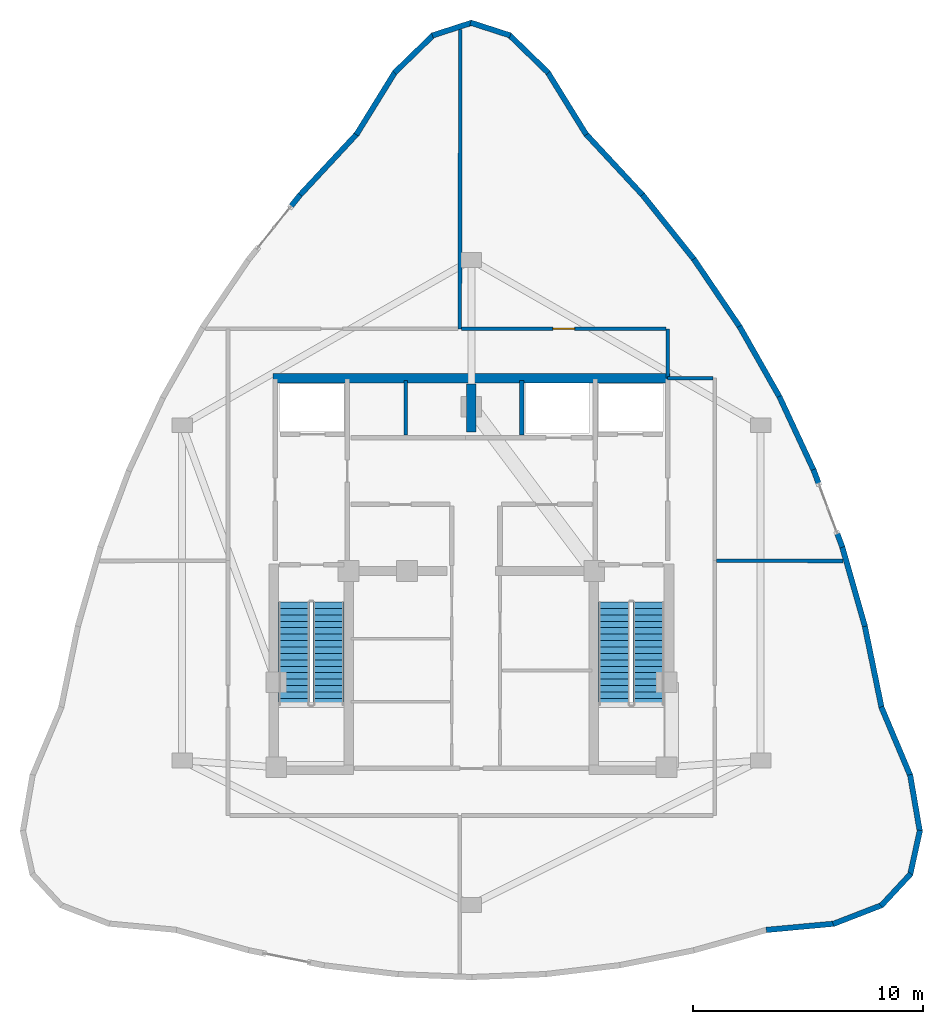
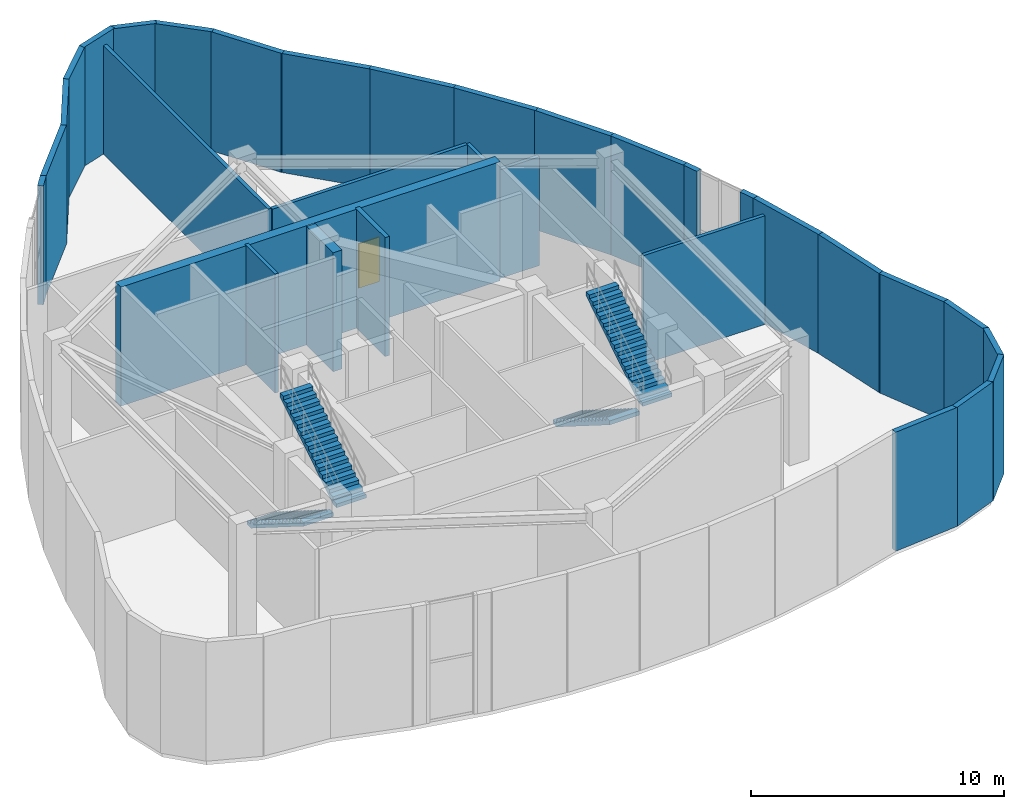
# One storey, part 10 of 11: 32 walls, 4 stair flights, 1 door, 1 opening, 2 elements without a shape of their own.
"""IFC4 building model written with IfcOpenShell, lengths in metres."""

from ifc_helpers import new_model, si_unit, direction, frame, frame_2d, origin, place, context, subcontext, project, spatial, polyline, rectangle, outline, extrude, material, layer, layer_set, type_object, element, fill, aggregate, save


model = new_model("IFC4")

# Units and contexts
model_context = context("Model", 3, precision=1e-05, world=origin(), true_north=direction((0.0, 1.0)))
body_context = subcontext(model_context, "Body", "Model", "MODEL_VIEW")
ifc_project = project(units=[si_unit("LENGTHUNIT", "METRE"), si_unit("AREAUNIT", "SQUARE_METRE"), si_unit("VOLUMEUNIT", "CUBIC_METRE"), si_unit("PLANEANGLEUNIT", "RADIAN"), si_unit("MASSUNIT", "GRAM", prefix="KILO")], contexts=[model_context])

# Site, building, storey
site_placement = place(None, origin())
site = spatial("IfcSite", under=ifc_project, at=site_placement, CompositionType="ELEMENT")
building_placement = place(site_placement, origin())
building = spatial("IfcBuilding", under=site, at=building_placement, Name="Miruveldt Soraemaru", CompositionType="ELEMENT")
storey_placement = place(building_placement, frame((0.0, 0.0, 300.800048828125)))
storey = spatial("IfcBuildingStorey", under=building, at=storey_placement, Name="L80", CompositionType="ELEMENT", Elevation=300.800048828125)

# Walls
ifc_material_1 = material(Name="Concrete C70/85 (70 MPa)", Category="concrete")
ifc_layer_1 = layer(ifc_material_1, 0.5, Name="Concrete C70/85 (70 MPa)", Category="concrete")
ifc_layer_set_1 = layer_set([ifc_layer_1], Name="Concrete C70/85 (70 MPa)")
wall_type_1 = type_object("IfcWallType", Name="WALL-BW-500", PredefinedType="SHEAR", material=ifc_layer_set_1)
wall_1_placement = place(storey_placement, frame((44.0, 50.10009765625, 0.0), z_axis=(0.0, 0.0, 1.0), x_axis=(0.0, 1.0, 0.0)))
element("IfcWall", 1, at=wall_1_placement, inside=storey, type_object=wall_type_1, Name="L80 Core Buttress Shear Wall BN", PredefinedType="SHEAR", context=body_context, shape_type="SweptSolid", body=[
    extrude(rectangle(XDim=2.099853515625, YDim=0.39990234375, at=frame_2d((1.0498046875, 0.0))), origin(), (0.0, 0.0, 1.0), 5.739990234375),
])
ifc_material_2 = material(Name="Concrete C50/60 (50 MPa)", Category="concrete")
ifc_layer_2 = layer(ifc_material_2, 0.419921875, Name="Concrete C50/60 (50 MPa)", Category="concrete")
ifc_layer_set_2 = layer_set([ifc_layer_2], Name="Concrete C50/60 (50 MPa)")
wall_type_2 = type_object("IfcWallType", Name="WALL-CW-420", PredefinedType="SHEAR", material=ifc_layer_set_2)
wall_2_placement = place(storey_placement, frame((35.35009765625, 52.449951171875, 0.0), z_axis=(0.0, 0.0, 1.0), x_axis=(1.0, 0.0, 0.0)))
element("IfcWall", 2, at=wall_2_placement, inside=storey, type_object=wall_type_2, Name="L80 Central Core Shear Wall N", PredefinedType="SHEAR", context=body_context, shape_type="SweptSolid", body=[
    extrude(rectangle(XDim=17.2998046875, YDim=0.419921875, at=frame_2d((8.64990234375, 0.0))), origin(), (0.0, 0.0, 1.0), 5.739990234375),
])
ifc_material_3 = material(Name="Precast concrete C45/55 (45 MPa)", Category="concrete")
ifc_layer_3 = layer(ifc_material_3, 0.239990234375, Name="Precast concrete C45/55 (45 MPa)", Category="concrete")
ifc_layer_set_3 = layer_set([ifc_layer_3], Name="Precast concrete C45/55 (45 MPa)")
wall_type_3 = type_object("IfcWallType", Name="WALL-EXT-PC240", PredefinedType="SOLIDWALL", material=ifc_layer_set_3)
wall_3_placement = place(storey_placement, frame((49.009521484375, 63.05615234375, 0.0), z_axis=(0.0, 0.0, 1.0), x_axis=(-0.526110187608, 0.850416410058, 0.0)))
element("IfcWall", 3, at=wall_3_placement, inside=storey, type_object=wall_type_3, Name="L80 Precast Concrete Facade Wall 1", PredefinedType="SOLIDWALL", context=body_context, shape_type="SweptSolid", body=[
    extrude(rectangle(XDim=3.232666015625, YDim=0.239990234375, at=frame_2d((1.6162109375, 0.0))), origin(), (0.0, 0.0, 1.0), 5.739990234375),
])
wall_4_placement = place(storey_placement, frame((47.352294921875, 65.7509765625, 0.0), z_axis=(0.0, 0.0, 1.0), x_axis=(-0.717711443968, 0.69634063733, 0.0)))
element("IfcWall", 4, at=wall_4_placement, inside=storey, type_object=wall_type_3, Name="L80 Precast Concrete Facade Wall 2", PredefinedType="SOLIDWALL", context=body_context, shape_type="SweptSolid", body=[
    extrude(rectangle(XDim=2.3876953125, YDim=0.239990234375, at=frame_2d((1.19384765625, 0.0))), origin(), (0.0, 0.0, 1.0), 5.739990234375),
])
for number, where, z_axis, x_axis, name in (
    (5, (45.697021484375, 67.37841796875, 0.0), (0.0, 0.0, 1.0), (-0.951517353151, 0.307595069292, 0.0), "L80 Precast Concrete Facade Wall 3"),
    (6, (44.033203125, 67.937744140625, 0.0), (0.0, 0.0, 1.0), (-0.951517353151, -0.307595069292, 0.0), "L80 Precast Concrete Facade Wall 4"),
):
    element("IfcWall", number, at=place(storey_placement, frame(where, z_axis=z_axis, x_axis=x_axis)), inside=storey, type_object=wall_type_3, Name=name, PredefinedType="SOLIDWALL", context=body_context, shape_type="SweptSolid", body=[
        extrude(rectangle(XDim=1.818359375, YDim=0.239990234375, at=frame_2d((0.9091796875, 0.0))), origin(), (0.0, 0.0, 1.0), 5.739990234375),
    ])
wall_5_placement = place(storey_placement, frame((42.361328125, 67.41357421875, 0.0), z_axis=(0.0, 0.0, 1.0), x_axis=(-0.717711443968, -0.69634063733, 0.0)))
element("IfcWall", 7, at=wall_5_placement, inside=storey, type_object=wall_type_3, Name="L80 Precast Concrete Facade Wall 5", PredefinedType="SOLIDWALL", context=body_context, shape_type="SweptSolid", body=[
    extrude(rectangle(XDim=2.3876953125, YDim=0.239990234375, at=frame_2d((1.19384765625, 0.0))), origin(), (0.0, 0.0, 1.0), 5.739990234375),
])
wall_6_placement = place(storey_placement, frame((40.691162109375, 65.80517578125, 0.0), z_axis=(0.0, 0.0, 1.0), x_axis=(-0.526110187608, -0.850416410058, 0.0)))
element("IfcWall", 8, at=wall_6_placement, inside=storey, type_object=wall_type_3, Name="L80 Precast Concrete Facade Wall 6", PredefinedType="SOLIDWALL", context=body_context, shape_type="SweptSolid", body=[
    extrude(rectangle(XDim=3.232666015625, YDim=0.239990234375, at=frame_2d((1.6162109375, 0.0))), origin(), (0.0, 0.0, 1.0), 5.739990234375),
])
wall_7_placement = place(storey_placement, frame((39.03271484375, 63.111572265625, 0.0), z_axis=(0.0, 0.0, 1.0), x_axis=(-0.68087147599, -0.732402917241, 0.0)))
element("IfcWall", 9, at=wall_7_placement, inside=storey, type_object=wall_type_3, Name="L80 Precast Concrete Facade Wall 7", PredefinedType="SOLIDWALL", context=body_context, shape_type="SweptSolid", body=[
    extrude(rectangle(XDim=3.718994140625, YDim=0.239990234375, at=frame_2d((1.859375, 0.0))), origin(), (0.0, 0.0, 1.0), 5.739990234375),
])
wall_8_placement = place(storey_placement, frame((36.546142578125, 60.440673828125, 0.0), z_axis=(0.0, 0.0, 1.0), x_axis=(-0.623554366926, -0.781779989183, 0.0)))
element("IfcWall", 10, at=wall_8_placement, inside=storey, type_object=wall_type_3, Name="L80 Precast Pier Left 8", PredefinedType="SOLIDWALL", context=body_context, shape_type="SweptSolid", body=[
    extrude(rectangle(XDim=0.705078125, YDim=0.239990234375, at=frame_2d((0.3525390625, 0.0))), origin(), (0.0, 0.0, 1.0), 5.739990234375),
])
wall_9_placement = place(storey_placement, frame((56.84619140625, 28.412841796875, 0.0), z_axis=(0.0, 0.0, 1.0), x_axis=(0.995767942029, 0.091903240575, 0.0)))
element("IfcWall", 11, at=wall_9_placement, inside=storey, type_object=wall_type_3, Name="L80 Precast Concrete Facade Wall 29", PredefinedType="SOLIDWALL", context=body_context, shape_type="SweptSolid", body=[
    extrude(rectangle(XDim=2.993896484375, YDim=0.239990234375, at=frame_2d((1.4970703125, 0.0))), origin(), (0.0, 0.0, 1.0), 5.739990234375),
])
wall_10_placement = place(storey_placement, frame((59.760009765625, 28.672119140625, 0.0), z_axis=(0.0, 0.0, 1.0), x_axis=(0.932269297358, 0.361765058019, 0.0)))
element("IfcWall", 12, at=wall_10_placement, inside=storey, type_object=wall_type_3, Name="L80 Precast Concrete Facade Wall 30", PredefinedType="SOLIDWALL", context=body_context, shape_type="SweptSolid", body=[
    extrude(rectangle(XDim=2.300537109375, YDim=0.239990234375, at=frame_2d((1.150390625, 0.0))), origin(), (0.0, 0.0, 1.0), 5.739990234375),
])
wall_11_placement = place(storey_placement, frame((61.848388671875, 29.466064453125, 0.0), z_axis=(0.0, 0.0, 1.0), x_axis=(0.680072395428, 0.733144963139, 0.0)))
element("IfcWall", 13, at=wall_11_placement, inside=storey, type_object=wall_type_3, Name="L80 Precast Concrete Facade Wall 31", PredefinedType="SOLIDWALL", context=body_context, shape_type="SweptSolid", body=[
    extrude(rectangle(XDim=1.904541015625, YDim=0.239990234375, at=frame_2d((0.9521484375, 0.0))), origin(), (0.0, 0.0, 1.0), 5.739990234375),
])
wall_12_placement = place(storey_placement, frame((63.1123046875, 30.80224609375, 0.0), z_axis=(0.0, 0.0, 1.0), x_axis=(0.215649526387, 0.976470829963, 0.0)))
element("IfcWall", 14, at=wall_12_placement, inside=storey, type_object=wall_type_3, Name="L80 Precast Concrete Facade Wall 32", PredefinedType="SOLIDWALL", context=body_context, shape_type="SweptSolid", body=[
    extrude(rectangle(XDim=1.998291015625, YDim=0.239990234375, at=frame_2d((0.9990234375, 0.0))), origin(), (0.0, 0.0, 1.0), 5.739990234375),
])
wall_13_placement = place(storey_placement, frame((63.54150390625, 32.6845703125, 0.0), z_axis=(0.0, 0.0, 1.0), x_axis=(-0.169240125324, 0.985574847477, 0.0)))
element("IfcWall", 15, at=wall_13_placement, inside=storey, type_object=wall_type_3, Name="L80 Precast Concrete Facade Wall 33", PredefinedType="SOLIDWALL", context=body_context, shape_type="SweptSolid", body=[
    extrude(rectangle(XDim=2.52587890625, YDim=0.239990234375, at=frame_2d((1.262939453125, 0.0))), origin(), (0.0, 0.0, 1.0), 5.739990234375),
])
wall_14_placement = place(storey_placement, frame((63.13330078125, 35.107421875, 0.0), z_axis=(0.0, 0.0, 1.0), x_axis=(-0.388622520849, 0.921397056805, 0.0)))
element("IfcWall", 16, at=wall_14_placement, inside=storey, type_object=wall_type_3, Name="L80 Precast Concrete Facade Wall 34", PredefinedType="SOLIDWALL", context=body_context, shape_type="SweptSolid", body=[
    extrude(rectangle(XDim=3.280517578125, YDim=0.239990234375, at=frame_2d((1.64013671875, 0.0))), origin(), (0.0, 0.0, 1.0), 5.739990234375),
])
wall_15_placement = place(storey_placement, frame((61.879150390625, 38.063720703125, 0.0), z_axis=(0.0, 0.0, 1.0), x_axis=(-0.201578837363, 0.979472292782, 0.0)))
element("IfcWall", 17, at=wall_15_placement, inside=storey, type_object=wall_type_3, Name="L80 Precast Concrete Facade Wall 35", PredefinedType="SOLIDWALL", context=body_context, shape_type="SweptSolid", body=[
    extrude(rectangle(XDim=3.719482421875, YDim=0.239990234375, at=frame_2d((1.85986328125, 0.0))), origin(), (0.0, 0.0, 1.0), 5.739990234375),
])
wall_16_placement = place(storey_placement, frame((61.14599609375, 41.638671875, 0.0), z_axis=(0.0, 0.0, 1.0), x_axis=(-0.274897629025, 0.961473501224, 0.0)))
element("IfcWall", 18, at=wall_16_placement, inside=storey, type_object=wall_type_3, Name="L80 Precast Concrete Facade Wall 36", PredefinedType="SOLIDWALL", context=body_context, shape_type="SweptSolid", body=[
    extrude(rectangle(XDim=3.65380859375, YDim=0.239990234375, at=frame_2d((1.826904296875, 0.0))), origin(), (0.0, 0.0, 1.0), 5.739990234375),
])
wall_17_placement = place(storey_placement, frame((60.163330078125, 45.085205078125, 0.0), z_axis=(0.0, 0.0, 1.0), x_axis=(-0.349073246867, 0.937095442483, 0.0)))
element("IfcWall", 19, at=wall_17_placement, inside=storey, type_object=wall_type_3, Name="L80 Precast Pier Left 37", PredefinedType="SOLIDWALL", context=body_context, shape_type="SweptSolid", body=[
    extrude(rectangle(XDim=0.705078125, YDim=0.239990234375, at=frame_2d((0.3525390625, 0.0))), origin(), (0.0, 0.0, 1.0), 5.739990234375),
])
wall_18_placement = place(storey_placement, frame((59.149658203125, 47.806396484375, 0.0), z_axis=(0.0, 0.0, 1.0), x_axis=(-0.348960000238, 0.937137619688, 0.0)))
element("IfcWall", 20, at=wall_18_placement, inside=storey, type_object=wall_type_3, Name="L80 Precast Pier Right 37", PredefinedType="SOLIDWALL", context=body_context, shape_type="SweptSolid", body=[
    extrude(rectangle(XDim=0.705322265625, YDim=0.239990234375, at=frame_2d((0.3525390625, 0.0))), origin(), (0.0, 0.0, 1.0), 5.739990234375),
])
wall_19_placement = place(storey_placement, frame((58.9306640625, 48.40283203125, 0.0), z_axis=(0.0, 0.0, 1.0), x_axis=(-0.422322757118, 0.906445524464, 0.0)))
element("IfcWall", 21, at=wall_19_placement, inside=storey, type_object=wall_type_3, Name="L80 Precast Concrete Facade Wall 38", PredefinedType="SOLIDWALL", context=body_context, shape_type="SweptSolid", body=[
    extrude(rectangle(XDim=3.587158203125, YDim=0.239990234375, at=frame_2d((1.79345703125, 0.0))), origin(), (0.0, 0.0, 1.0), 5.739990234375),
])
wall_20_placement = place(storey_placement, frame((57.447998046875, 51.592041015625, 0.0), z_axis=(0.0, 0.0, 1.0), x_axis=(-0.49340236427, 0.869801188165, 0.0)))
element("IfcWall", 22, at=wall_20_placement, inside=storey, type_object=wall_type_3, Name="L80 Precast Concrete Facade Wall 39", PredefinedType="SOLIDWALL", context=body_context, shape_type="SweptSolid", body=[
    extrude(rectangle(XDim=3.5869140625, YDim=0.239990234375, at=frame_2d((1.79345703125, 0.0))), origin(), (0.0, 0.0, 1.0), 5.739990234375),
])
wall_21_placement = place(storey_placement, frame((55.715087890625, 54.652587890625, 0.0), z_axis=(0.0, 0.0, 1.0), x_axis=(-0.560819727484, 0.827937940467, 0.0)))
element("IfcWall", 23, at=wall_21_placement, inside=storey, type_object=wall_type_3, Name="L80 Precast Concrete Facade Wall 40", PredefinedType="SOLIDWALL", context=body_context, shape_type="SweptSolid", body=[
    extrude(rectangle(XDim=3.609375, YDim=0.239990234375, at=frame_2d((1.8046875, 0.0))), origin(), (0.0, 0.0, 1.0), 5.739990234375),
])
wall_22_placement = place(storey_placement, frame((53.732421875, 57.58447265625, 0.0), z_axis=(0.0, 0.0, 1.0), x_axis=(-0.623626980574, 0.781722066402, 0.0)))
element("IfcWall", 24, at=wall_22_placement, inside=storey, type_object=wall_type_3, Name="L80 Precast Concrete Facade Wall 41", PredefinedType="SOLIDWALL", context=body_context, shape_type="SweptSolid", body=[
    extrude(rectangle(XDim=3.65380859375, YDim=0.239990234375, at=frame_2d((1.826904296875, 0.0))), origin(), (0.0, 0.0, 1.0), 5.739990234375),
])
wall_23_placement = place(storey_placement, frame((51.49951171875, 60.3876953125, 0.0), z_axis=(0.0, 0.0, 1.0), x_axis=(-0.68087147599, 0.732402917241, 0.0)))
element("IfcWall", 25, at=wall_23_placement, inside=storey, type_object=wall_type_3, Name="L80 Precast Concrete Facade Wall 42", PredefinedType="SOLIDWALL", context=body_context, shape_type="SweptSolid", body=[
    extrude(rectangle(XDim=3.718994140625, YDim=0.239990234375, at=frame_2d((1.859375, 0.0))), origin(), (0.0, 0.0, 1.0), 5.739990234375),
])

# Wall, opening, door
ifc_material_4 = material(Name="Concrete C40/50 (40 MPa)", Category="concrete")
ifc_layer_4 = layer(ifc_material_4, 0.159912109375, Name="Concrete C40/50 (40 MPa)", Category="concrete")
ifc_layer_set_4 = layer_set([ifc_layer_4], Name="Concrete C40/50 (40 MPa)")
wall_type_4 = type_object("IfcWallType", Name="WALL-INT-RC160", PredefinedType="SOLIDWALL", material=ifc_layer_set_4)
wall_24_placement = place(storey_placement, frame((52.469970703125, 54.60009765625, 0.0), z_axis=(0.0, 0.0, 1.0), x_axis=(-1.0, 0.0, 0.0)))
wall_24 = element("IfcWall", 26, at=wall_24_placement, inside=storey, type_object=wall_type_4, Name="L80 Partition Wall 10", PredefinedType="SOLIDWALL", context=body_context, shape_type="SweptSolid", body=[
    extrude(rectangle(XDim=8.889892578125, YDim=0.159912109375, at=frame_2d((4.44482421875, 0.0))), origin(), (0.0, 0.0, 1.0), 5.239990234375),
])
opening_placement = place(wall_24_placement, frame((3.969970703125, 0.0, 0.0)))
opening = element("IfcOpeningElement", 27, at=opening_placement, cuts=wall_24, Name="Opening FD2", PredefinedType="OPENING", context=body_context, shape_type="SweptSolid", body=[
    extrude(rectangle(XDim=0.949951171875, YDim=2.14990234375, at=frame_2d((0.47509765625, 1.074951171875))), frame((0.0, 0.08984375, 0.0), z_axis=(0.0, -1.0, 0.0), x_axis=(1.0, 0.0, 0.0)), (0.0, 0.0, 1.0), 0.179931640625),
])
ifc_material_5 = material(Name="Anodised aluminium EN AW-6063 T6", Category="aluminium")
door_type = type_object("IfcDoorType", Name="DOOR-FD2-950", OperationType="NOTDEFINED", PredefinedType="DOOR", material=ifc_material_5)
door_placement = place(opening_placement, origin())
door = element("IfcDoor", 28, at=door_placement, inside=storey, type_object=door_type, Name="L80 L80 Crown Electrical and BMS Plant Room Fire Door", OperationType="SINGLE_SWING_LEFT", OverallHeight=2.14990234375, OverallWidth=0.949951171875, PredefinedType="DOOR", context=body_context, shape_type="SweptSolid", body=[
    extrude(rectangle(XDim=0.949951171875, YDim=2.14990234375, at=frame_2d((0.47509765625, 1.074951171875))), frame((0.0, 0.02490234375, 0.0), z_axis=(0.0, -1.0, 0.0), x_axis=(1.0, 0.0, 0.0)), (0.0, 0.0, 1.0), 0.050048828125),
])
fill(opening, door)

# Walls
wall_25_placement = place(storey_placement, frame((43.5, 54.60009765625, 0.0), z_axis=(0.0, 0.0, 1.0), x_axis=(0.001311695457, 0.999999139727, 0.0)))
element("IfcWall", 29, at=wall_25_placement, inside=storey, type_object=wall_type_4, Name="L80 Partition Wall 14", PredefinedType="SOLIDWALL", context=body_context, shape_type="SweptSolid", body=[
    extrude(rectangle(XDim=13.02880859375, YDim=0.159912109375, at=frame_2d((6.514404296875, 0.0))), origin(), (0.0, 0.0, 1.0), 5.239990234375),
])
wall_26_placement = place(storey_placement, frame((60.19189453125, 44.485107421875, 0.0), z_axis=(0.0, 0.0, 1.0), x_axis=(-0.999996349983, 0.002701854868, 0.0)))
element("IfcWall", 30, at=wall_26_placement, inside=storey, type_object=wall_type_4, Name="L80 Partition Wall 13", PredefinedType="SOLIDWALL", context=body_context, shape_type="SweptSolid", body=[
    extrude(rectangle(XDim=5.511962890625, YDim=0.159912109375, at=frame_2d((2.755859375, 0.0))), origin(), (0.0, 0.0, 1.0), 5.239990234375),
])
wall_27_placement = place(storey_placement, frame((41.14990234375, 49.97998046875, 0.0), z_axis=(0.0, 0.0, 1.0), x_axis=(0.0, 1.0, 0.0)))
element("IfcWall", 31, at=wall_27_placement, inside=storey, type_object=wall_type_4, Name="L80 Core Compartment Wall PLH-DIV1", PredefinedType="SOLIDWALL", context=body_context, shape_type="SweptSolid", body=[
    extrude(rectangle(XDim=2.3701171875, YDim=0.159912109375, at=frame_2d((1.18505859375, 0.0))), origin(), (0.0, 0.0, 1.0), 5.739990234375),
])
wall_28_placement = place(storey_placement, frame((52.550048828125, 52.449951171875, 0.0), z_axis=(0.0, 0.0, 1.0), x_axis=(0.0, 1.0, 0.0)))
element("IfcWall", 32, at=wall_28_placement, inside=storey, type_object=wall_type_4, Name="L80 Partition Wall 9", PredefinedType="SOLIDWALL", context=body_context, shape_type="SweptSolid", body=[
    extrude(rectangle(XDim=2.150146484375, YDim=0.159912109375, at=frame_2d((1.0751953125, 0.0))), origin(), (0.0, 0.0, 1.0), 5.239990234375),
])
wall_29_placement = place(storey_placement, frame((54.52001953125, 52.449951171875, 0.0), z_axis=(0.0, 0.0, 1.0), x_axis=(-1.0, 0.0, 0.0)))
element("IfcWall", 33, at=wall_29_placement, inside=storey, type_object=wall_type_4, Name="L80 Partition Wall 8", PredefinedType="SOLIDWALL", context=body_context, shape_type="SweptSolid", body=[
    extrude(rectangle(XDim=1.969970703125, YDim=0.159912109375, at=frame_2d((0.98486328125, 0.0))), origin(), (0.0, 0.0, 1.0), 5.239990234375),
])
ifc_layer_5 = layer(ifc_material_4, 0.199951171875, Name="Concrete C40/50 (40 MPa)", Category="concrete")
ifc_layer_set_5 = layer_set([ifc_layer_5], Name="Concrete C40/50 (40 MPa)")
wall_type_5 = type_object("IfcWallType", Name="WALL-INT-RC200", PredefinedType="SOLIDWALL", material=ifc_layer_set_5)
wall_30_placement = place(storey_placement, frame((46.199951171875, 49.97998046875, 0.0), z_axis=(0.0, 0.0, 1.0), x_axis=(0.0, 1.0, 0.0)))
element("IfcWall", 34, at=wall_30_placement, inside=storey, type_object=wall_type_5, Name="L80 Core Compartment Wall PLH-SL-DIV", PredefinedType="SOLIDWALL", context=body_context, shape_type="SweptSolid", body=[
    extrude(rectangle(XDim=2.3701171875, YDim=0.199951171875, at=frame_2d((1.18505859375, 0.0))), origin(), (0.0, 0.0, 1.0), 5.739990234375),
])

# Stair, stair flights
stair_type = type_object("IfcStairType", Name="STAIR-DL-600", PredefinedType="HALF_TURN_STAIR", material=ifc_material_4)
stair_1_placement = place(storey_placement, origin())
stair_1 = element("IfcStair", 35, at=stair_1_placement, inside=storey, type_object=stair_type, Name="L80 Protected Exit Stair ST-1", PredefinedType="HALF_TURN_STAIR")
stair_flight_type = type_object("IfcStairFlightType", Name="SFL-DL-600", PredefinedType="STRAIGHT", material=ifc_material_4)
stair_flight_1_placement = place(storey_placement, frame((36.27490234375, 42.699951171875, 0.0), z_axis=(0.0, 0.0, 1.0), x_axis=(0.0, -1.0, 0.0)))
stair_flight_1 = element("IfcStairFlight", 36, at=stair_flight_1_placement, type_object=stair_flight_type, Name="ST-1 flight 1", NumberOfRisers=17, NumberOfTreads=16, PredefinedType="STRAIGHT", RiserHeight=0.176470588, TreadLength=0.28, context=body_context, shape_type="SweptSolid", body=[
    extrude(outline(polyline([(0.0, 0.0), (0.0, 0.176513671875), (0.280029296875, 0.176513671875), (0.280029296875, 0.35302734375), (0.56005859375, 0.35302734375), (0.56005859375, 0.529296875), (0.840087890625, 0.529296875), (0.840087890625, 0.705810546875), (1.1201171875, 0.705810546875), (1.1201171875, 0.88232421875), (1.39990234375, 0.88232421875), (1.39990234375, 1.058837890625), (1.679931640625, 1.058837890625), (1.679931640625, 1.2353515625), (1.9599609375, 1.2353515625), (1.9599609375, 1.411865234375), (2.239990234375, 1.411865234375), (2.239990234375, 1.588134765625), (2.52001953125, 1.588134765625), (2.52001953125, 1.7646484375), (2.800048828125, 1.7646484375), (2.800048828125, 1.941162109375), (3.080078125, 1.941162109375), (3.080078125, 2.11767578125), (3.360107421875, 2.11767578125), (3.360107421875, 2.294189453125), (3.639892578125, 2.294189453125), (3.639892578125, 2.470703125), (3.919921875, 2.470703125), (3.919921875, 2.64697265625), (4.199951171875, 2.64697265625), (4.199951171875, 2.823486328125), (4.47998046875, 2.823486328125), (4.47998046875, 3.0), (4.47998046875, 2.634521484375), (0.2998046875, 0.0), (0.0, 0.0)])), frame((0.0, 0.675048828125, 0.0), z_axis=(0.0, -1.0, 0.0), x_axis=(1.0, 0.0, 0.0)), (0.0, 0.0, 1.0), 1.35009765625),
])
stair_flight_2_placement = place(storey_placement, frame((37.77490234375, 38.219970703125, 3.0), z_axis=(0.0, 0.0, 1.0), x_axis=(0.0, 1.0, 0.0)))
stair_flight_2 = element("IfcStairFlight", 37, at=stair_flight_2_placement, type_object=stair_flight_type, Name="ST-1 flight 2", NumberOfRisers=17, NumberOfTreads=16, PredefinedType="STRAIGHT", RiserHeight=0.176470588, TreadLength=0.28, context=body_context, shape_type="SweptSolid", body=[
    extrude(outline(polyline([(0.0, 0.0), (0.0, 0.176513671875), (0.280029296875, 0.176513671875), (0.280029296875, 0.35302734375), (0.56005859375, 0.35302734375), (0.56005859375, 0.529296875), (0.840087890625, 0.529296875), (0.840087890625, 0.705810546875), (1.1201171875, 0.705810546875), (1.1201171875, 0.88232421875), (1.39990234375, 0.88232421875), (1.39990234375, 1.058837890625), (1.679931640625, 1.058837890625), (1.679931640625, 1.2353515625), (1.9599609375, 1.2353515625), (1.9599609375, 1.411865234375), (2.239990234375, 1.411865234375), (2.239990234375, 1.588134765625), (2.52001953125, 1.588134765625), (2.52001953125, 1.7646484375), (2.800048828125, 1.7646484375), (2.800048828125, 1.941162109375), (3.080078125, 1.941162109375), (3.080078125, 2.11767578125), (3.360107421875, 2.11767578125), (3.360107421875, 2.294189453125), (3.639892578125, 2.294189453125), (3.639892578125, 2.470703125), (3.919921875, 2.470703125), (3.919921875, 2.64697265625), (4.199951171875, 2.64697265625), (4.199951171875, 2.823486328125), (4.47998046875, 2.823486328125), (4.47998046875, 3.0), (4.47998046875, 2.634521484375), (0.2998046875, 0.0), (0.0, 0.0)])), frame((0.0, 0.675048828125, 0.0), z_axis=(0.0, -1.0, 0.0), x_axis=(1.0, 0.0, 0.0)), (0.0, 0.0, 1.0), 1.35009765625),
])
aggregate(stair_1, [stair_flight_1, stair_flight_2])

stair_2_placement = place(storey_placement, origin())
stair_2 = element("IfcStair", 38, at=stair_2_placement, inside=storey, type_object=stair_type, Name="L80 Protected Exit Stair ST-2", PredefinedType="HALF_TURN_STAIR")
stair_flight_3_placement = place(storey_placement, frame((50.22509765625, 42.699951171875, 0.0), z_axis=(0.0, 0.0, 1.0), x_axis=(0.0, -1.0, 0.0)))
stair_flight_3 = element("IfcStairFlight", 39, at=stair_flight_3_placement, type_object=stair_flight_type, Name="ST-2 flight 1", NumberOfRisers=17, NumberOfTreads=16, PredefinedType="STRAIGHT", RiserHeight=0.176470588, TreadLength=0.28, context=body_context, shape_type="SweptSolid", body=[
    extrude(outline(polyline([(0.0, 0.0), (0.0, 0.176513671875), (0.280029296875, 0.176513671875), (0.280029296875, 0.35302734375), (0.56005859375, 0.35302734375), (0.56005859375, 0.529296875), (0.840087890625, 0.529296875), (0.840087890625, 0.705810546875), (1.1201171875, 0.705810546875), (1.1201171875, 0.88232421875), (1.39990234375, 0.88232421875), (1.39990234375, 1.058837890625), (1.679931640625, 1.058837890625), (1.679931640625, 1.2353515625), (1.9599609375, 1.2353515625), (1.9599609375, 1.411865234375), (2.239990234375, 1.411865234375), (2.239990234375, 1.588134765625), (2.52001953125, 1.588134765625), (2.52001953125, 1.7646484375), (2.800048828125, 1.7646484375), (2.800048828125, 1.941162109375), (3.080078125, 1.941162109375), (3.080078125, 2.11767578125), (3.360107421875, 2.11767578125), (3.360107421875, 2.294189453125), (3.639892578125, 2.294189453125), (3.639892578125, 2.470703125), (3.919921875, 2.470703125), (3.919921875, 2.64697265625), (4.199951171875, 2.64697265625), (4.199951171875, 2.823486328125), (4.47998046875, 2.823486328125), (4.47998046875, 3.0), (4.47998046875, 2.634521484375), (0.2998046875, 0.0), (0.0, 0.0)])), frame((0.0, 0.675048828125, 0.0), z_axis=(0.0, -1.0, 0.0), x_axis=(1.0, 0.0, 0.0)), (0.0, 0.0, 1.0), 1.35009765625),
])
stair_flight_4_placement = place(storey_placement, frame((51.72509765625, 38.219970703125, 3.0), z_axis=(0.0, 0.0, 1.0), x_axis=(0.0, 1.0, 0.0)))
stair_flight_4 = element("IfcStairFlight", 40, at=stair_flight_4_placement, type_object=stair_flight_type, Name="ST-2 flight 2", NumberOfRisers=17, NumberOfTreads=16, PredefinedType="STRAIGHT", RiserHeight=0.176470588, TreadLength=0.28, context=body_context, shape_type="SweptSolid", body=[
    extrude(outline(polyline([(0.0, 0.0), (0.0, 0.176513671875), (0.280029296875, 0.176513671875), (0.280029296875, 0.35302734375), (0.56005859375, 0.35302734375), (0.56005859375, 0.529296875), (0.840087890625, 0.529296875), (0.840087890625, 0.705810546875), (1.1201171875, 0.705810546875), (1.1201171875, 0.88232421875), (1.39990234375, 0.88232421875), (1.39990234375, 1.058837890625), (1.679931640625, 1.058837890625), (1.679931640625, 1.2353515625), (1.9599609375, 1.2353515625), (1.9599609375, 1.411865234375), (2.239990234375, 1.411865234375), (2.239990234375, 1.588134765625), (2.52001953125, 1.588134765625), (2.52001953125, 1.7646484375), (2.800048828125, 1.7646484375), (2.800048828125, 1.941162109375), (3.080078125, 1.941162109375), (3.080078125, 2.11767578125), (3.360107421875, 2.11767578125), (3.360107421875, 2.294189453125), (3.639892578125, 2.294189453125), (3.639892578125, 2.470703125), (3.919921875, 2.470703125), (3.919921875, 2.64697265625), (4.199951171875, 2.64697265625), (4.199951171875, 2.823486328125), (4.47998046875, 2.823486328125), (4.47998046875, 3.0), (4.47998046875, 2.634521484375), (0.2998046875, 0.0), (0.0, 0.0)])), frame((0.0, 0.675048828125, 0.0), z_axis=(0.0, -1.0, 0.0), x_axis=(1.0, 0.0, 0.0)), (0.0, 0.0, 1.0), 1.35009765625),
])
aggregate(stair_2, [stair_flight_3, stair_flight_4])

save(model, "model.ifc")
